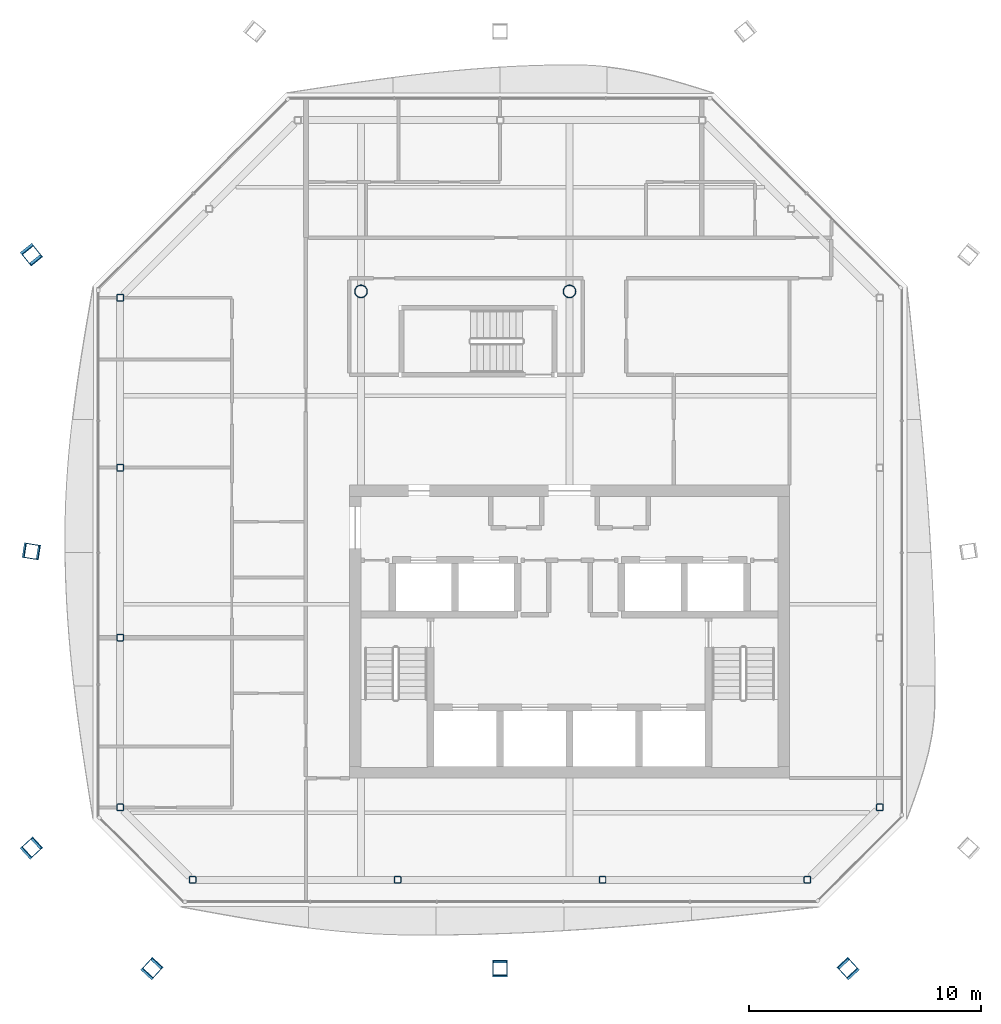
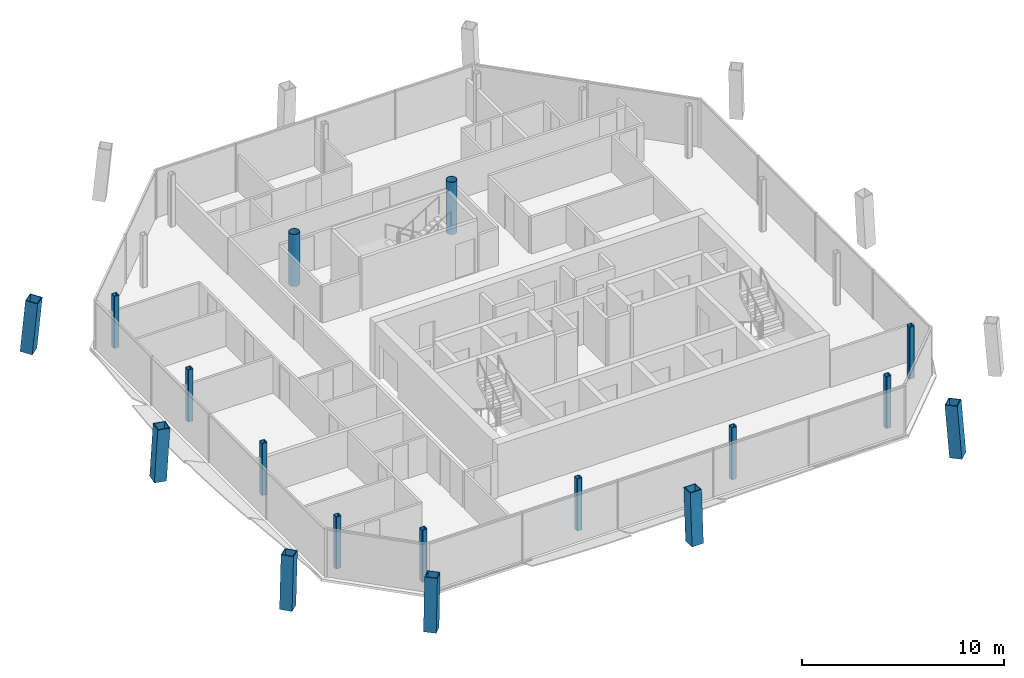
# One storey, part 1 of 16: 17 columns.
"""IFC4 building model written with IfcOpenShell, lengths in metres."""

from ifc_helpers import new_model, si_unit, direction, frame, origin, origin_2d, place, context, subcontext, project, spatial, hollow_rectangle, hollow_circle, extrude, material, material_profile, profile_set, type_object, element, save


model = new_model("IFC4")

# Units and contexts
model_context = context("Model", 3, precision=1e-05, world=origin(), true_north=direction((0.0, 1.0)))
body_context = subcontext(model_context, "Body", "Model", "MODEL_VIEW")
ifc_project = project(units=[si_unit("LENGTHUNIT", "METRE"), si_unit("AREAUNIT", "SQUARE_METRE"), si_unit("VOLUMEUNIT", "CUBIC_METRE"), si_unit("PLANEANGLEUNIT", "RADIAN"), si_unit("MASSUNIT", "GRAM", prefix="KILO")], contexts=[model_context])

# Site, building, storey
site_placement = place(None, origin())
site = spatial("IfcSite", under=ifc_project, at=site_placement, CompositionType="ELEMENT")
building_placement = place(site_placement, origin())
building = spatial("IfcBuilding", under=site, at=building_placement, Name="Tskaro Facet Tower", CompositionType="ELEMENT")
storey_placement = place(building_placement, frame((0.0, 0.0, 248.699951171875)))
storey = spatial("IfcBuildingStorey", under=building, at=storey_placement, Name="L65", CompositionType="ELEMENT", Elevation=248.699951171875)

# Columns
ifc_material_1 = material(Name="Steel S355J2", Category="steel")
ifc_material_profile_1 = material_profile(ifc_material_1, hollow_rectangle(XDim=0.64990234375, YDim=0.64990234375, WallThickness=0.0400390625, at=origin_2d()), Name="BOX 650x650x40")
ifc_profile_set_1 = profile_set([ifc_material_profile_1], Name="Steel S355J2")
column_type_1 = type_object("IfcColumnType", Name="BOX 650x650x40 mega column", PredefinedType="COLUMN", material=ifc_profile_set_1)
column_1_placement = place(storey_placement, frame((-18.052978515625, -20.258056640625, 0.0), z_axis=(0.052848592293, 0.05763896177, 0.996937699347), x_axis=(-0.737072109445, 0.675814105711, 0.0)))
element("IfcColumn", 1, at=column_1_placement, inside=storey, type_object=column_type_1, Name="BOX 650x650x40 MC01/5", PredefinedType="COLUMN", context=body_context, shape_type="SweptSolid", body=[
    extrude(hollow_rectangle(XDim=0.64990234375, YDim=0.64990234375, WallThickness=0.0400390625, at=origin_2d()), origin(), (0.0, 0.0, 1.0), 3.159912109375),
])
column_2_placement = place(storey_placement, frame((-3.0, -20.258056640625, 0.0), z_axis=(0.0, 0.057719622824, 0.998332832847), x_axis=(-1.0, 0.0, 0.0)))
element("IfcColumn", 2, at=column_2_placement, inside=storey, type_object=column_type_1, Name="BOX 650x650x40 MC02/5", PredefinedType="COLUMN", context=body_context, shape_type="SweptSolid", body=[
    extrude(hollow_rectangle(XDim=0.64990234375, YDim=0.64990234375, WallThickness=0.0400390625, at=origin_2d()), origin(), (0.0, 0.0, 1.0), 3.155517578125),
])
column_3_placement = place(storey_placement, frame((12.052978515625, -20.258056640625, 0.0), z_axis=(-0.052848592293, 0.05763896177, 0.996937699347), x_axis=(-0.737072109445, -0.675814105711, 0.0)))
element("IfcColumn", 3, at=column_3_placement, inside=storey, type_object=column_type_1, Name="BOX 650x650x40 MC03/5", PredefinedType="COLUMN", context=body_context, shape_type="SweptSolid", body=[
    extrude(hollow_rectangle(XDim=0.64990234375, YDim=0.64990234375, WallThickness=0.0400390625, at=origin_2d()), origin(), (0.0, 0.0, 1.0), 3.159912109375),
])
column_4_placement = place(storey_placement, frame((-23.258056640625, 10.62890625, 0.0), z_axis=(0.057572363847, -0.071386644181, 0.995785805258), x_axis=(0.77839977459, 0.627768899291, 0.0)))
element("IfcColumn", 4, at=column_4_placement, inside=storey, type_object=column_type_1, Name="BOX 650x650x40 MC10/5", PredefinedType="COLUMN", context=body_context, shape_type="SweptSolid", body=[
    extrude(hollow_rectangle(XDim=0.64990234375, YDim=0.64990234375, WallThickness=0.0400390625, at=origin_2d()), origin(), (0.0, 0.0, 1.0), 3.16357421875),
])
column_5_placement = place(storey_placement, frame((-23.258056640625, -2.2119140625, 0.0), z_axis=(0.057717176415, -0.009206895434, 0.998290519149), x_axis=(0.157525830017, 0.987514867168, 0.0)))
element("IfcColumn", 5, at=column_5_placement, inside=storey, type_object=column_type_1, Name="BOX 650x650x40 MC11/5", PredefinedType="COLUMN", context=body_context, shape_type="SweptSolid", body=[
    extrude(hollow_rectangle(XDim=0.64990234375, YDim=0.64990234375, WallThickness=0.0400390625, at=origin_2d()), origin(), (0.0, 0.0, 1.0), 3.155517578125),
])
column_6_placement = place(storey_placement, frame((-23.258056640625, -15.052978515625, 0.0), z_axis=(0.05763896177, 0.052848592293, 0.996937699347), x_axis=(-0.675814105711, 0.737072109445, 0.0)))
element("IfcColumn", 6, at=column_6_placement, inside=storey, type_object=column_type_1, Name="BOX 650x650x40 MC12/5", PredefinedType="COLUMN", context=body_context, shape_type="SweptSolid", body=[
    extrude(hollow_rectangle(XDim=0.64990234375, YDim=0.64990234375, WallThickness=0.0400390625, at=origin_2d()), origin(), (0.0, 0.0, 1.0), 3.159912109375),
])
ifc_material_2 = material(Name="Steel S355J2H", Category="steel")
ifc_material_profile_2 = material_profile(ifc_material_2, hollow_circle(Radius=0.279541015625, WallThickness=0.02490234375, at=origin_2d()), Name="CHS 559x25")
ifc_profile_set_2 = profile_set([ifc_material_profile_2], Name="Steel S355J2H")
column_type_2 = type_object("IfcColumnType", Name="CHS 559x25 interior column", PredefinedType="COLUMN", material=ifc_profile_set_2)
for number, where, z_axis, x_axis, name in (
    (7, (-9.0, 9.0, 0.0), (0.0, 0.0, 1.0), (1.0, 0.0, 0.0), "CHS 559x25 C3E/5"),
    (8, (0.0, 9.0, 0.0), (0.0, 0.0, 1.0), (1.0, 0.0, 0.0), "CHS 559x25 C4E/5"),
):
    element("IfcColumn", number, at=place(storey_placement, frame(where, z_axis=z_axis, x_axis=x_axis)), inside=storey, type_object=column_type_2, Name=name, PredefinedType="COLUMN", context=body_context, shape_type="SweptSolid", body=[
        extrude(hollow_circle(Radius=0.279541015625, WallThickness=0.02490234375, at=origin_2d()), origin(), (0.0, 0.0, 1.0), 3.150146484375),
    ])
ifc_material_profile_3 = material_profile(ifc_material_2, hollow_rectangle(XDim=0.300048828125, YDim=0.300048828125, WallThickness=0.02001953125, InnerFilletRadius=0.030029296875, OuterFilletRadius=0.050048828125, at=origin_2d()), Name="SHS 300x300x20")
ifc_profile_set_3 = profile_set([ifc_material_profile_3], Name="Steel S355J2H")
column_type_3 = type_object("IfcColumnType", Name="SHS 300x300x20 ring column", PredefinedType="COLUMN", material=ifc_profile_set_3)
for number, where, z_axis, x_axis, name in (
    (9, (-16.26806640625, -16.39111328125, 0.0), (0.0, 0.0, 1.0), (1.0, 0.0, 0.0), "SHS 300x300x20 RS-1/5"),
    (10, (-7.423095703125, -16.39111328125, 0.0), (0.0, 0.0, 1.0), (1.0, 0.0, 0.0), "SHS 300x300x20 RS-2/5"),
    (11, (1.423095703125, -16.39111328125, 0.0), (0.0, 0.0, 1.0), (1.0, 0.0, 0.0), "SHS 300x300x20 RS-3/5"),
    (12, (10.26806640625, -16.39111328125, 0.0), (0.0, 0.0, 1.0), (1.0, 0.0, 0.0), "SHS 300x300x20 RSE-1/5"),
    (13, (13.39111328125, -13.26806640625, 0.0), (0.0, 0.0, 1.0), (1.0, 0.0, 0.0), "SHS 300x300x20 RE-1/5"),
    (14, (-19.39111328125, 8.72509765625, 0.0), (0.0, 0.0, 1.0), (1.0, 0.0, 0.0), "SHS 300x300x20 RW-1/5"),
    (15, (-19.39111328125, 1.39404296875, 0.0), (0.0, 0.0, 1.0), (1.0, 0.0, 0.0), "SHS 300x300x20 RW-2/5"),
    (16, (-19.39111328125, -5.93701171875, 0.0), (0.0, 0.0, 1.0), (1.0, 0.0, 0.0), "SHS 300x300x20 RW-3/5"),
    (17, (-19.39111328125, -13.26806640625, 0.0), (0.0, 0.0, 1.0), (1.0, 0.0, 0.0), "SHS 300x300x20 RSW-1/5"),
):
    element("IfcColumn", number, at=place(storey_placement, frame(where, z_axis=z_axis, x_axis=x_axis)), inside=storey, type_object=column_type_3, Name=name, PredefinedType="COLUMN", context=body_context, shape_type="SweptSolid", body=[
        extrude(hollow_rectangle(XDim=0.300048828125, YDim=0.300048828125, WallThickness=0.02001953125, InnerFilletRadius=0.030029296875, OuterFilletRadius=0.050048828125, at=origin_2d()), origin(), (0.0, 0.0, 1.0), 3.150146484375),
    ])

save(model, "model.ifc")
